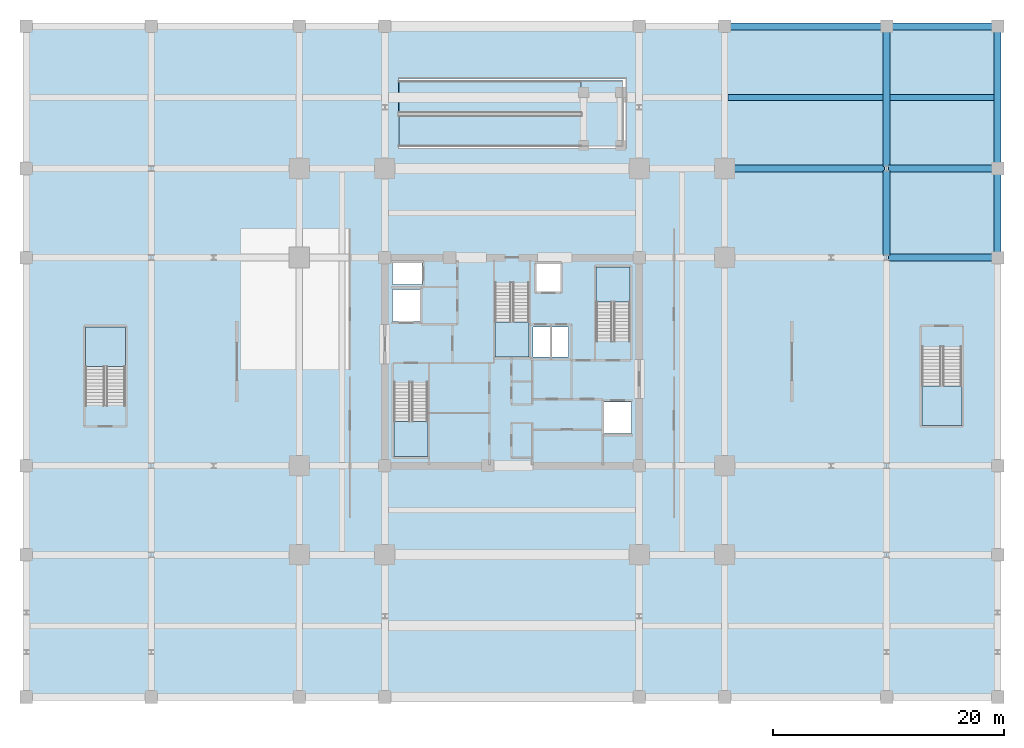
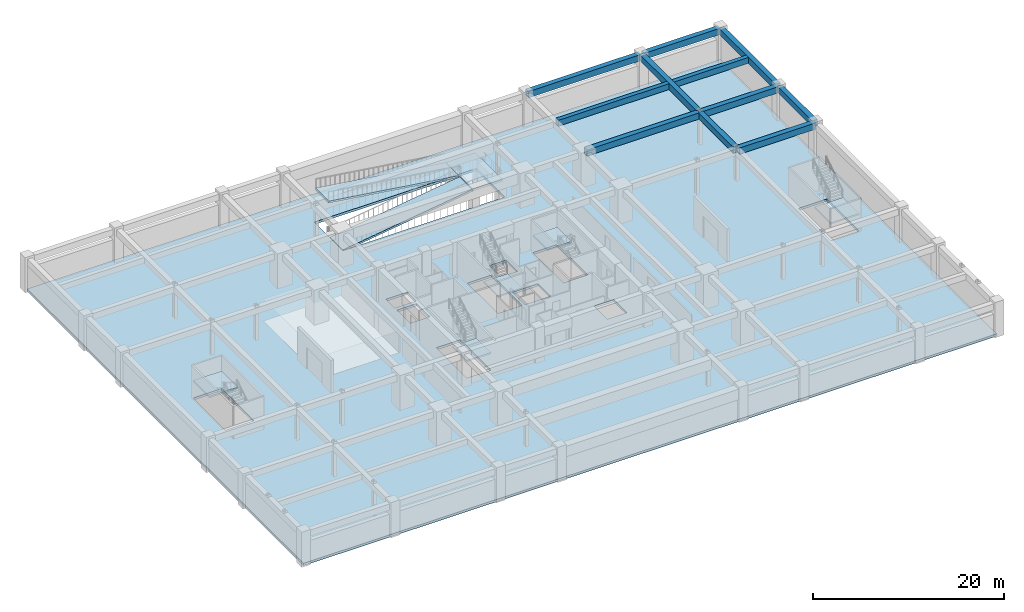
# One storey, part 5 of 16: 11 beams, 9 slabs, 5 elements without a shape of their own.
"""IFC4 building model written with IfcOpenShell, lengths in metres."""

from ifc_helpers import new_model, si_unit, direction, frame, origin, origin_2d, place, context, subcontext, project, spatial, polyline, rectangle, outline, extrude, material, layer, layer_set, material_profile, profile_set, type_object, element, aggregate, save


model = new_model("IFC4")

# Units and contexts
model_context = context("Model", 3, precision=1e-05, world=origin(), true_north=direction((0.0, 1.0)))
body_context = subcontext(model_context, "Body", "Model", "MODEL_VIEW")
ifc_project = project(units=[si_unit("LENGTHUNIT", "METRE"), si_unit("AREAUNIT", "SQUARE_METRE"), si_unit("VOLUMEUNIT", "CUBIC_METRE"), si_unit("PLANEANGLEUNIT", "RADIAN"), si_unit("MASSUNIT", "GRAM", prefix="KILO")], contexts=[model_context])

# Site, building, storey
site_placement = place(None, origin())
site = spatial("IfcSite", under=ifc_project, at=site_placement, CompositionType="ELEMENT")
building_placement = place(site_placement, origin())
building = spatial("IfcBuilding", under=site, at=building_placement, Name="Kovane Verandah Tower", CompositionType="ELEMENT")
storey_placement = place(building_placement, frame((0.0, 0.0, -4.5)))
storey = spatial("IfcBuildingStorey", under=building, at=storey_placement, Name="B1", CompositionType="ELEMENT", Elevation=-4.5)

# Beams
ifc_material_1 = material(Name="Concrete C45/55", Category="concrete")
ifc_material_profile_1 = material_profile(ifc_material_1, rectangle(XDim=0.5, YDim=0.75, at=origin_2d()), Name="RCB500x750")
ifc_profile_set_1 = profile_set([ifc_material_profile_1], Name="Concrete C45/55")
beam_type_1 = type_object("IfcBeamType", Name="BM-RC-500x750", PredefinedType="BEAM", material=ifc_profile_set_1)
beam_1_placement = place(storey_placement, frame((58.697998046875, 50.35009765625, 3.844970703125), z_axis=(1.0, 0.0, 0.0), x_axis=(0.0, 1.0, 0.0)))
element("IfcBeam", 1, at=beam_1_placement, inside=storey, type_object=beam_type_1, Name="B1 Podium Secondary Joist 13", PredefinedType="BEAM", context=body_context, shape_type="SweptSolid", body=[
    extrude(rectangle(XDim=0.5, YDim=0.75, at=origin_2d()), origin(), (0.0, 0.0, 1.0), 13.404052734375),
])
beam_2_placement = place(storey_placement, frame((72.697998046875, 50.35009765625, 3.844970703125), z_axis=(1.0, 0.0, 0.0), x_axis=(0.0, 1.0, 0.0)))
element("IfcBeam", 2, at=beam_2_placement, inside=storey, type_object=beam_type_1, Name="B1 Podium Secondary Joist 14", PredefinedType="BEAM", context=body_context, shape_type="SweptSolid", body=[
    extrude(rectangle(XDim=0.5, YDim=0.75, at=origin_2d()), origin(), (0.0, 0.0, 1.0), 9.00390625),
])
ifc_material_profile_2 = material_profile(ifc_material_1, rectangle(XDim=0.60009765625, YDim=0.800048828125, at=origin_2d()), Name="RCB600x800")
ifc_profile_set_2 = profile_set([ifc_material_profile_2], Name="Concrete C45/55")
beam_type_2 = type_object("IfcBeamType", Name="BM-RC-600x800", PredefinedType="BEAM", material=ifc_profile_set_2)
beam_3_placement = place(storey_placement, frame((72.580078125, 36.5, 3.820068359375), z_axis=(1.0, 0.0, 0.0), x_axis=(0.0, 1.0, 0.0)))
element("IfcBeam", 3, at=beam_3_placement, inside=storey, type_object=beam_type_2, Name="B1 Podium Grid Girder X19", PredefinedType="BEAM", context=body_context, shape_type="SweptSolid", body=[
    extrude(rectangle(XDim=0.60009765625, YDim=0.800048828125, at=origin_2d()), origin(), (0.0, 0.0, 1.0), 9.239990234375),
])
beam_4_placement = place(storey_placement, frame((58.580078125, 44.199951171875, 3.820068359375), z_axis=(1.0, 0.0, 0.0), x_axis=(0.0, 1.0, 0.0)))
element("IfcBeam", 4, at=beam_4_placement, inside=storey, type_object=beam_type_2, Name="B1 Podium Grid Girder X22", PredefinedType="BEAM", context=body_context, shape_type="SweptSolid", body=[
    extrude(rectangle(XDim=0.60009765625, YDim=0.800048828125, at=origin_2d()), origin(), (0.0, 0.0, 1.0), 13.639892578125),
])
beam_5_placement = place(storey_placement, frame((72.580078125, 44.199951171875, 3.820068359375), z_axis=(1.0, 0.0, 0.0), x_axis=(0.0, 1.0, 0.0)))
element("IfcBeam", 5, at=beam_5_placement, inside=storey, type_object=beam_type_2, Name="B1 Podium Grid Girder X23", PredefinedType="BEAM", context=body_context, shape_type="SweptSolid", body=[
    extrude(rectangle(XDim=0.60009765625, YDim=0.800048828125, at=origin_2d()), origin(), (0.0, 0.0, 1.0), 9.239990234375),
])
beam_6_placement = place(storey_placement, frame((58.580078125, 56.5, 3.820068359375), z_axis=(1.0, 0.0, 0.0), x_axis=(0.0, 1.0, 0.0)))
element("IfcBeam", 6, at=beam_6_placement, inside=storey, type_object=beam_type_2, Name="B1 Podium Grid Girder X29", PredefinedType="BEAM", context=body_context, shape_type="SweptSolid", body=[
    extrude(rectangle(XDim=0.60009765625, YDim=0.800048828125, at=origin_2d()), origin(), (0.0, 0.0, 1.0), 13.639892578125),
])
beam_7_placement = place(storey_placement, frame((72.580078125, 56.5, 3.820068359375), z_axis=(1.0, 0.0, 0.0), x_axis=(0.0, 1.0, 0.0)))
element("IfcBeam", 7, at=beam_7_placement, inside=storey, type_object=beam_type_2, Name="B1 Podium Grid Girder X30", PredefinedType="BEAM", context=body_context, shape_type="SweptSolid", body=[
    extrude(rectangle(XDim=0.60009765625, YDim=0.800048828125, at=origin_2d()), origin(), (0.0, 0.0, 1.0), 9.239990234375),
])
beam_8_placement = place(storey_placement, frame((72.39990234375, 36.679931640625, 3.820068359375), z_axis=(0.0, 1.0, 0.0), x_axis=(-1.0, 0.0, 0.0)))
element("IfcBeam", 8, at=beam_8_placement, inside=storey, type_object=beam_type_2, Name="B1 Podium Grid Girder Y52", PredefinedType="BEAM", context=body_context, shape_type="SweptSolid", body=[
    extrude(rectangle(XDim=0.60009765625, YDim=0.800048828125, at=origin_2d()), origin(), (0.0, 0.0, 1.0), 7.340087890625),
])
beam_9_placement = place(storey_placement, frame((72.39990234375, 44.3798828125, 3.820068359375), z_axis=(0.0, 1.0, 0.0), x_axis=(-1.0, 0.0, 0.0)))
element("IfcBeam", 9, at=beam_9_placement, inside=storey, type_object=beam_type_2, Name="B1 Podium Grid Girder Y53", PredefinedType="BEAM", context=body_context, shape_type="SweptSolid", body=[
    extrude(rectangle(XDim=0.60009765625, YDim=0.800048828125, at=origin_2d()), origin(), (0.0, 0.0, 1.0), 11.940185546875),
])
beam_10_placement = place(storey_placement, frame((82.0, 36.679931640625, 3.820068359375), z_axis=(0.0, 1.0, 0.0), x_axis=(-1.0, 0.0, 0.0)))
element("IfcBeam", 10, at=beam_10_placement, inside=storey, type_object=beam_type_2, Name="B1 Podium Grid Girder Y57", PredefinedType="BEAM", context=body_context, shape_type="SweptSolid", body=[
    extrude(rectangle(XDim=0.60009765625, YDim=0.800048828125, at=origin_2d()), origin(), (0.0, 0.0, 1.0), 7.340087890625),
])
beam_11_placement = place(storey_placement, frame((82.0, 44.3798828125, 3.820068359375), z_axis=(0.0, 1.0, 0.0), x_axis=(-1.0, 0.0, 0.0)))
element("IfcBeam", 11, at=beam_11_placement, inside=storey, type_object=beam_type_2, Name="B1 Podium Grid Girder Y58", PredefinedType="BEAM", context=body_context, shape_type="SweptSolid", body=[
    extrude(rectangle(XDim=0.60009765625, YDim=0.800048828125, at=origin_2d()), origin(), (0.0, 0.0, 1.0), 11.940185546875),
])

# Slabs
ifc_material_2 = material(Name="Concrete C60/75", Category="concrete")
ifc_layer_1 = layer(ifc_material_2, 0.300048828125)
ifc_layer_set_1 = layer_set([ifc_layer_1], Name="Concrete C60/75")
slab_type_1 = type_object("IfcSlabType", Name="SL-HVY-300", PredefinedType="FLOOR", material=ifc_layer_set_1)
slab_1_placement = place(storey_placement, frame((0.0, 0.0, -0.300048828125)))
element("IfcSlab", 12, at=slab_1_placement, inside=storey, type_object=slab_type_1, Name="B1 Structural Floor Slab", PredefinedType="FLOOR", context=body_context, shape_type="SweptSolid", body=[
    extrude(outline(polyline([(-2.0, -1.5), (82.0, -1.5), (82.0, 56.5), (-2.0, 56.5), (-2.0, -1.5)]), holes=[polyline([(29.800048828125, 19.300048828125), (32.719970703125, 19.300048828125), (32.719970703125, 25.705078125), (29.800048828125, 25.705078125), (29.800048828125, 19.300048828125)]), polyline([(47.280029296875, 29.294921875), (50.199951171875, 29.294921875), (50.199951171875, 35.699951171875), (47.280029296875, 35.699951171875), (47.280029296875, 29.294921875)]), polyline([(38.5400390625, 27.89990234375), (41.4599609375, 27.89990234375), (41.4599609375, 34.304931640625), (38.5400390625, 34.304931640625), (38.5400390625, 27.89990234375)]), polyline([(3.10009765625, 23.72509765625), (6.56005859375, 23.72509765625), (6.56005859375, 30.5), (3.10009765625, 30.5), (3.10009765625, 23.72509765625)]), polyline([(75.43994140625, 22.0), (78.89990234375, 22.0), (78.89990234375, 28.77490234375), (75.43994140625, 28.77490234375), (75.43994140625, 22.0)]), polyline([(29.669921875, 30.969970703125), (32.030029296875, 30.969970703125), (32.030029296875, 33.72998046875), (29.669921875, 33.72998046875), (29.669921875, 30.969970703125)]), polyline([(47.969970703125, 21.27001953125), (50.330078125, 21.27001953125), (50.330078125, 24.030029296875), (47.969970703125, 24.030029296875), (47.969970703125, 21.27001953125)]), polyline([(29.669921875, 34.169921875), (32.22998046875, 34.169921875), (32.22998046875, 36.030029296875), (29.669921875, 36.030029296875), (29.669921875, 34.169921875)]), polyline([(42.1201171875, 33.570068359375), (44.179931640625, 33.570068359375), (44.179931640625, 35.929931640625), (42.1201171875, 35.929931640625), (42.1201171875, 33.570068359375)]), polyline([(30.199951171875, 46.0), (49.800048828125, 46.0), (49.800048828125, 52.0), (30.199951171875, 52.0), (30.199951171875, 46.0)]), polyline([(41.800048828125, 27.89990234375), (44.89990234375, 27.89990234375), (44.89990234375, 30.5), (41.800048828125, 30.5), (41.800048828125, 27.89990234375)])]), origin(), (0.0, 0.0, 1.0), 0.300048828125),
])
slab_2_placement = place(storey_placement, frame((0.0, 0.0, 2.0)))
element("IfcSlab", 13, at=slab_2_placement, inside=storey, type_object=slab_type_1, Name="B1 Half-Turn Vehicle Ramp Landing Slab VR-B1", PredefinedType="FLOOR", context=body_context, shape_type="SweptSolid", body=[
    extrude(outline(polyline([(46.0, 46.10009765625), (49.60009765625, 46.10009765625), (49.60009765625, 51.800048828125), (46.0, 51.800048828125), (46.0, 46.10009765625)])), origin(), (0.0, 0.0, 1.0), 0.25),
])

# Stair, slab
stair_type = type_object("IfcStairType", Name="ST-CORE-1380", PredefinedType="HALF_TURN_STAIR", material=ifc_material_1)
stair_1_placement = place(storey_placement, origin())
stair_1 = element("IfcStair", 14, at=stair_1_placement, inside=storey, type_object=stair_type, Name="B1 Exit Stair ST-01", PredefinedType="HALF_TURN_STAIR")
ifc_layer_2 = layer(ifc_material_1, 0.199951171875)
ifc_layer_set_2 = layer_set([ifc_layer_2], Name="Concrete C45/55")
slab_type_2 = type_object("IfcSlabType", Name="SL-LAND-200", PredefinedType="LANDING", material=ifc_layer_set_2)
slab_3_placement = place(storey_placement, frame((0.0, 0.0, 2.050048828125)))
slab_3 = element("IfcSlab", 15, at=slab_3_placement, type_object=slab_type_2, Name="ST-01 landing 1", PredefinedType="LANDING", context=body_context, shape_type="SweptSolid", body=[
    extrude(outline(polyline([(29.800048828125, 22.330078125), (29.800048828125, 19.300048828125), (32.719970703125, 19.300048828125), (32.719970703125, 22.330078125), (29.800048828125, 22.330078125)])), origin(), (0.0, 0.0, 1.0), 0.199951171875),
])
aggregate(stair_1, [slab_3])

stair_2_placement = place(storey_placement, origin())
stair_2 = element("IfcStair", 16, at=stair_2_placement, inside=storey, type_object=stair_type, Name="B1 Exit Stair ST-02", PredefinedType="HALF_TURN_STAIR")
slab_4_placement = place(storey_placement, frame((0.0, 0.0, 2.050048828125)))
slab_4 = element("IfcSlab", 17, at=slab_4_placement, type_object=slab_type_2, Name="ST-02 landing 1", PredefinedType="LANDING", context=body_context, shape_type="SweptSolid", body=[
    extrude(outline(polyline([(50.199951171875, 32.669921875), (50.199951171875, 35.699951171875), (47.280029296875, 35.699951171875), (47.280029296875, 32.669921875), (50.199951171875, 32.669921875)])), origin(), (0.0, 0.0, 1.0), 0.199951171875),
])
aggregate(stair_2, [slab_4])

stair_3_placement = place(storey_placement, origin())
stair_3 = element("IfcStair", 18, at=stair_3_placement, inside=storey, type_object=stair_type, Name="B1 Exit Stair ST-03", PredefinedType="HALF_TURN_STAIR")
slab_5_placement = place(storey_placement, frame((0.0, 0.0, 2.050048828125)))
slab_5 = element("IfcSlab", 19, at=slab_5_placement, type_object=slab_type_2, Name="ST-03 landing 1", PredefinedType="LANDING", context=body_context, shape_type="SweptSolid", body=[
    extrude(outline(polyline([(38.5400390625, 30.929931640625), (38.5400390625, 27.89990234375), (41.4599609375, 27.89990234375), (41.4599609375, 30.929931640625), (38.5400390625, 30.929931640625)])), origin(), (0.0, 0.0, 1.0), 0.199951171875),
])
aggregate(stair_3, [slab_5])

stair_4_placement = place(storey_placement, origin())
stair_4 = element("IfcStair", 20, at=stair_4_placement, inside=storey, type_object=stair_type, Name="B1 Exit Stair ST-04", PredefinedType="HALF_TURN_STAIR")
slab_6_placement = place(storey_placement, frame((0.0, 0.0, 2.050048828125)))
slab_6 = element("IfcSlab", 21, at=slab_6_placement, type_object=slab_type_2, Name="ST-04 landing 1", PredefinedType="LANDING", context=body_context, shape_type="SweptSolid", body=[
    extrude(outline(polyline([(6.56005859375, 27.10009765625), (6.56005859375, 30.5), (3.10009765625, 30.5), (3.10009765625, 27.10009765625), (6.56005859375, 27.10009765625)])), origin(), (0.0, 0.0, 1.0), 0.199951171875),
])
aggregate(stair_4, [slab_6])

stair_5_placement = place(storey_placement, origin())
stair_5 = element("IfcStair", 22, at=stair_5_placement, inside=storey, type_object=stair_type, Name="B1 Exit Stair ST-05", PredefinedType="HALF_TURN_STAIR")
slab_7_placement = place(storey_placement, frame((0.0, 0.0, 2.050048828125)))
slab_7 = element("IfcSlab", 23, at=slab_7_placement, type_object=slab_type_2, Name="ST-05 landing 1", PredefinedType="LANDING", context=body_context, shape_type="SweptSolid", body=[
    extrude(outline(polyline([(75.43994140625, 25.39990234375), (75.43994140625, 22.0), (78.89990234375, 22.0), (78.89990234375, 25.39990234375), (75.43994140625, 25.39990234375)])), origin(), (0.0, 0.0, 1.0), 0.199951171875),
])
aggregate(stair_5, [slab_7])

# Slabs
ifc_layer_3 = layer(ifc_material_1, 0.25)
ifc_layer_set_3 = layer_set([ifc_layer_3], Name="Concrete C45/55")
slab_type_3 = type_object("IfcSlabType", Name="SL-VRAMP-250", PredefinedType="FLOOR", material=ifc_layer_set_3)
slab_8_placement = place(storey_placement, frame((30.22998046875, 46.10009765625, 0.0), z_axis=(-0.141509492014, 0.0, 0.989936898832), x_axis=(0.989936898832, 0.0, 0.141509492014)))
element("IfcSlab", 24, at=slab_8_placement, inside=storey, type_object=slab_type_3, Name="B1 Graded Structural Vehicle Ramp Slab Lower VR-B1", PredefinedType="FLOOR", context=body_context, shape_type="SweptSolid", body=[
    extrude(outline(polyline([(0.0, 0.0), (15.899993477301189, 0.0), (15.899993477301189, 2.699951171875), (0.0, 2.699951171875), (0.0, 0.0)])), origin(), (0.0, 0.0, -1.0), 0.25),
])
slab_9_placement = place(storey_placement, frame((30.22998046875, 49.0, 4.5), z_axis=(0.141509492014, 0.0, 0.989936898832), x_axis=(0.989936898832, 0.0, -0.141509492014)))
element("IfcSlab", 25, at=slab_9_placement, inside=storey, type_object=slab_type_3, Name="B1 Graded Structural Vehicle Ramp Slab Upper VR-B1", PredefinedType="FLOOR", context=body_context, shape_type="SweptSolid", body=[
    extrude(outline(polyline([(0.0, 0.0), (15.899993477301189, 0.0), (15.899993477301189, 2.800048828125), (0.0, 2.800048828125), (0.0, 0.0)])), origin(), (0.0, 0.0, -1.0), 0.25),
])

save(model, "model.ifc")
